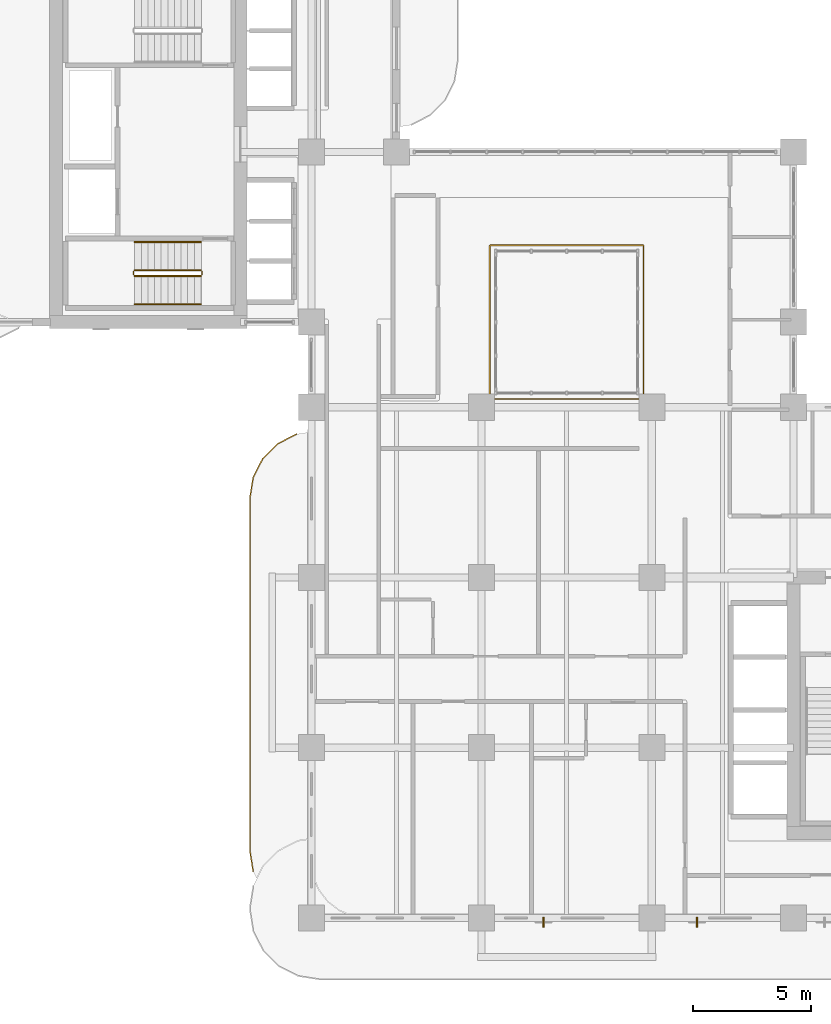
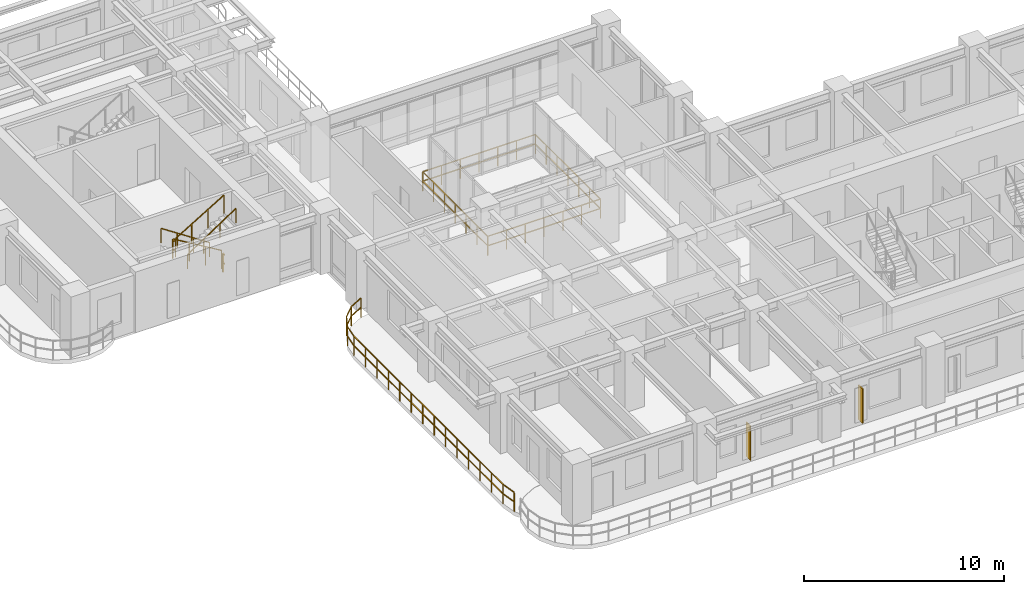
# One storey, part 18 of 22: 8 railings, 2 shading devices.
"""IFC4 building model written with IfcOpenShell, lengths in metres."""

import ifcopenshell
import ifcopenshell.guid

model = None  # the IFC model being written
_history = None  # IfcOwnerHistory: only IFC2X3 demands one
_inside = {}  # id of a spatial element -> (the spatial element, [elements in it])
_under = {}  # id of a project, library or spatial element -> (it, [spatial elements below it])
_declared = {}  # id of a project -> (the project, [libraries it declares])
_typed = {}  # id of a type object -> (the type object, [elements of that type])
_made_of = {}  # id of a material, layer set ... -> (it, [elements and type objects made of it])


def new_model(schema):
    """Start an empty IFC model of exactly this schema.

    Asked for "IFC4X3", IfcOpenShell would pick the latest addendum, in which some entities
    have other attributes; the version numbers below select the first issue.
    IFC2X3 requires an IfcOwnerHistory on every rooted entity: one is made here for all.
    """
    global model, _history
    if schema == "IFC4X3":
        model = ifcopenshell.file(schema_version=(4, 3, 0, 0))
    else:
        model = ifcopenshell.file(schema=schema)
    _inside.clear()
    _under.clear()
    _declared.clear()
    _typed.clear()
    _made_of.clear()
    _history = None
    if model.schema == "IFC2X3":
        org = make("IfcOrganization", Name="unknown")
        user = make(
            "IfcPersonAndOrganization",
            ThePerson=make("IfcPerson", FamilyName="unknown"),
            TheOrganization=org,
        )
        app = make(
            "IfcApplication",
            ApplicationDeveloper=org,
            Version="unknown",
            ApplicationFullName="unknown",
            ApplicationIdentifier="unknown",
        )
        _history = make(
            "IfcOwnerHistory",
            OwningUser=user,
            OwningApplication=app,
            ChangeAction="ADDED",
            CreationDate=0,
        )
    return model


def make(cls, **values):
    """One entity of the class cls with the attributes given. An attribute that is None is left unset."""
    return model.create_entity(
        cls, **{name: value for name, value in values.items() if value is not None}
    )


def rooted(cls, **values):
    """An entity with a GlobalId (a new one), such as an element, a storey or a relation."""
    return make(cls, GlobalId=ifcopenshell.guid.new(), OwnerHistory=_history, **values)


def si_unit(unit_type, name, prefix=None):
    """IfcSIUnit, for example si_unit("LENGTHUNIT", "METRE", prefix="MILLI")."""
    return make("IfcSIUnit", UnitType=unit_type, Prefix=prefix, Name=name)


def derived_unit(unit_type, elements):
    """IfcDerivedUnit: a product of units, each with its exponent."""
    return make(
        "IfcDerivedUnit",
        Elements=[
            make("IfcDerivedUnitElement", Unit=unit, Exponent=power)
            for unit, power in elements
        ],
        UnitType=unit_type,
    )


def assignment(units):
    """IfcUnitAssignment: the units of a project."""
    return None if units is None else make("IfcUnitAssignment", Units=units)


def point(xyz):
    """IfcCartesianPoint."""
    return None if xyz is None else make("IfcCartesianPoint", Coordinates=xyz)


def direction(xyz):
    """IfcDirection."""
    return None if xyz is None else make("IfcDirection", DirectionRatios=xyz)


def frame(location, z_axis=None, x_axis=None):
    """IfcAxis2Placement3D, a coordinate frame: its origin and axes. An axis left out is left unset."""
    return make(
        "IfcAxis2Placement3D",
        Location=point(location),
        Axis=direction(z_axis),
        RefDirection=direction(x_axis),
    )


def frame_2d(location, x_axis=None):
    """IfcAxis2Placement2D, a coordinate frame in the plane: its origin and x axis."""
    return make(
        "IfcAxis2Placement2D", Location=point(location), RefDirection=direction(x_axis)
    )


def origin():
    """The frame at (0, 0, 0) with its axes left unset."""
    return frame((0.0, 0.0, 0.0))


def origin_2d():
    """The frame at (0, 0) in the plane with its x axis left unset."""
    return frame_2d((0.0, 0.0))


def place(relative_to, where):
    """IfcLocalPlacement: puts the frame where relative to a parent placement (None: the world)."""
    return make(
        "IfcLocalPlacement", PlacementRelTo=relative_to, RelativePlacement=where
    )


def context(
    kind, dimensions, precision=None, world=None, true_north=None, identifier=None
):
    """IfcGeometricRepresentationContext, for example the 3D "Model" context."""
    return make(
        "IfcGeometricRepresentationContext",
        ContextIdentifier=identifier,
        ContextType=kind,
        CoordinateSpaceDimension=dimensions,
        Precision=precision,
        WorldCoordinateSystem=world,
        TrueNorth=true_north,
    )


def subcontext(parent, identifier, kind, view, scale=None):
    """IfcGeometricRepresentationSubContext, for example "Body" below "Model"."""
    return make(
        "IfcGeometricRepresentationSubContext",
        ContextIdentifier=identifier,
        ContextType=kind,
        ParentContext=parent,
        TargetScale=scale,
        TargetView=view,
    )


def project(units=None, contexts=None):
    """IfcProject with its units and contexts."""
    return rooted(
        "IfcProject",
        Name="project",
        RepresentationContexts=contexts,
        UnitsInContext=assignment(units),
    )


def spatial(cls, under=None, at=None, **own):
    """A site, building, storey or space (cls), placed at a placement, below another one or the project."""
    s = rooted(cls, ObjectPlacement=at, **own)
    if under is not None:
        _under.setdefault(under.id(), (under, []))[1].append(s)
    return s


def profile(cls, at=None, kind="AREA", **sizes):
    """A parametric profile (cls). Its sizes go by their IFC names, for example OverallWidth=200.0."""
    return make(cls, ProfileType=kind, Position=at, **sizes)


def rectangle(**sizes):
    """IfcRectangleProfileDef."""
    return profile("IfcRectangleProfileDef", **sizes)


def extrude(swept, where, along, depth):
    """IfcExtrudedAreaSolid: the profile swept, set in the frame where, extruded along a direction by depth."""
    return make(
        "IfcExtrudedAreaSolid",
        SweptArea=swept,
        Position=where,
        ExtrudedDirection=direction(along),
        Depth=depth,
    )


def shape(context_of_items, identifier, shape_type, items):
    """IfcShapeRepresentation: the items that make up one representation, for example the "Body"."""
    return make(
        "IfcShapeRepresentation",
        ContextOfItems=context_of_items,
        RepresentationIdentifier=identifier,
        RepresentationType=shape_type,
        Items=items,
    )


def source(mapping_origin, context_of_items, identifier, shape_type, items):
    """IfcRepresentationMap: a shape defined once, which mapped items show again and again."""
    return make(
        "IfcRepresentationMap",
        MappingOrigin=mapping_origin,
        MappedRepresentation=shape(context_of_items, identifier, shape_type, items),
    )


def transform(
    local_origin,
    x_axis=None,
    y_axis=None,
    z_axis=None,
    scale=None,
    scale2=None,
    scale3=None,
    uniform=True,
):
    """IfcCartesianTransformationOperator3D, or its non-uniform kind. x_axis, y_axis, z_axis: its Axis1, 2, 3."""
    if uniform:
        return make(
            "IfcCartesianTransformationOperator3D",
            Axis1=direction(x_axis),
            Axis2=direction(y_axis),
            LocalOrigin=point(local_origin),
            Scale=scale,
            Axis3=direction(z_axis),
        )
    return make(
        "IfcCartesianTransformationOperator3DnonUniform",
        Axis1=direction(x_axis),
        Axis2=direction(y_axis),
        LocalOrigin=point(local_origin),
        Scale=scale,
        Axis3=direction(z_axis),
        Scale2=scale2,
        Scale3=scale3,
    )


def mapped(mapping_source, mapping_target):
    """IfcMappedItem: shows the shape of a source again, moved by a transform."""
    return make(
        "IfcMappedItem", MappingSource=mapping_source, MappingTarget=mapping_target
    )


def material(Name=None, Category=None):
    """IfcMaterial."""
    return make("IfcMaterial", Name=Name, Category=Category)


def layer(
    of_material, thickness, ventilated=None, Name=None, Category=None, Priority=None
):
    """IfcMaterialLayer: one layer of a wall or slab, of a material (None: an air gap)."""
    return make(
        "IfcMaterialLayer",
        Material=of_material,
        LayerThickness=thickness,
        IsVentilated=ventilated,
        Name=Name,
        Category=Category,
        Priority=Priority,
    )


def layer_set(layers, Name=None):
    """IfcMaterialLayerSet."""
    return make("IfcMaterialLayerSet", MaterialLayers=layers, LayerSetName=Name)


def made_of(thing, what):
    """Note that an element or type object is made of a material, layer set ...; save() writes the relation."""
    if what is not None:
        _made_of.setdefault(what.id(), (what, []))[1].append(thing)
    return thing


def type_object(cls, material=None, **own):
    """A type object (cls), such as IfcWallType, which elements share."""
    return made_of(rooted(cls, **own), material)


def type_shapes(of_type, sources):
    """Give a type object the sources (RepresentationMaps) that its elements show as mapped items."""
    of_type.RepresentationMaps = sources


def element(
    cls,
    number,
    at=None,
    inside=None,
    cuts=None,
    type_object=None,
    material=None,
    context=None,
    identifier="Body",
    shape_type=None,
    held_by="IfcProductDefinitionShape",
    body=None,
    shapes=None,
    **own,
):
    """One element of the class cls, such as IfcWall. Its Tag is "e" and its number.

    at: its placement. inside: the storey or other place that contains it. cuts: it is an
    opening in that element (IfcRelVoidsElement). A single representation is given by context,
    identifier, shape_type and body (its items); several are given by shapes. held_by: the class
    of the entity that holds the representations. save() writes the other relations.
    """
    e = rooted(cls, Tag="e%d" % number, ObjectPlacement=at, **own)
    if body is not None:
        shapes = [shape(context, identifier, shape_type, body)]
    if shapes is not None:
        e.Representation = make(held_by, Representations=shapes)
    if inside is not None:
        _inside.setdefault(inside.id(), (inside, []))[1].append(e)
    if cuts is not None:
        rooted(
            "IfcRelVoidsElement", RelatingBuildingElement=cuts, RelatedOpeningElement=e
        )
    if type_object is not None:
        _typed.setdefault(type_object.id(), (type_object, []))[1].append(e)
    return made_of(e, material)


def aggregate(whole, parts):
    """IfcRelAggregates: a whole, such as a stair, and the parts it consists of."""
    return rooted("IfcRelAggregates", RelatingObject=whole, RelatedObjects=parts)


def save(model, path):
    """Write the relations noted so far, then the file.

    IfcRelAggregates (storeys below a building ...), IfcRelContainedInSpatialStructure (elements
    in a storey), IfcRelDefinesByType, IfcRelAssociatesMaterial and IfcRelDeclares: one each for
    every whole, place, type object, material and project.
    """
    for whole, parts in _under.values():
        aggregate(whole, parts)
    for where, things in _inside.values():
        rooted(
            "IfcRelContainedInSpatialStructure",
            RelatedElements=things,
            RelatingStructure=where,
        )
    for kind, things in _typed.values():
        rooted("IfcRelDefinesByType", RelatedObjects=things, RelatingType=kind)
    for what, things in _made_of.values():
        rooted("IfcRelAssociatesMaterial", RelatedObjects=things, RelatingMaterial=what)
    for by, libraries in _declared.values():
        rooted("IfcRelDeclares", RelatingContext=by, RelatedDefinitions=libraries)
    model.write(path)


model = new_model("IFC4")

# Units and contexts
model_context = context("Model", 3, precision=1e-05, world=origin(), true_north=direction((0.0, 1.0)))
body_context = subcontext(model_context, "Body", "Model", "MODEL_VIEW")
ifc_project = project(units=[si_unit("LENGTHUNIT", "METRE"), si_unit("AREAUNIT", "SQUARE_METRE"), si_unit("VOLUMEUNIT", "CUBIC_METRE"), si_unit("PLANEANGLEUNIT", "RADIAN"), si_unit("MASSUNIT", "GRAM", prefix="KILO"), si_unit("THERMODYNAMICTEMPERATUREUNIT", "KELVIN"), si_unit("POWERUNIT", "WATT"), derived_unit("THERMALTRANSMITTANCEUNIT", [(si_unit("POWERUNIT", "WATT"), 1), (si_unit("AREAUNIT", "SQUARE_METRE"), -1), (si_unit("THERMODYNAMICTEMPERATUREUNIT", "KELVIN"), -1)])], contexts=[model_context])

# Site, building, storey
site_placement = place(None, origin())
site = spatial("IfcSite", under=ifc_project, at=site_placement, CompositionType="ELEMENT")
building_placement = place(site_placement, origin())
building = spatial("IfcBuilding", under=site, at=building_placement, Name="Zahravan Archway Hotel and Residences", CompositionType="ELEMENT")
storey_placement = place(building_placement, frame((0.0, 0.0, 99.0)))
storey = spatial("IfcBuildingStorey", under=building, at=storey_placement, Name="L24", CompositionType="ELEMENT", Elevation=99.0)

# Railings
ifc_material_1 = material(Name="Atrium Laminated Glass Guardrail", Category="glass")
railing_type_1 = type_object("IfcRailingType", Name="RL-ATR-1200", PredefinedType="BALUSTRADE", material=ifc_material_1)
railing_1_placement = place(storey_placement, frame((21.949951171875, 21.949951171875, 0.0)))
element("IfcRailing", 1, at=railing_1_placement, inside=storey, type_object=railing_type_1, Name="L24 Balustrade RL-ATR-L24", PredefinedType="BALUSTRADE", context=body_context, shape_type="SweptSolid", body=[
    extrude(rectangle(XDim=0.048095703125, YDim=0.048095703125, at=origin_2d()), frame((0.0, 0.0, 1.17578125), z_axis=(1.0, 0.0, 0.0), x_axis=(0.0, 1.0, 0.0)), (0.0, 0.0, 1.0), 6.5),
    extrude(rectangle(XDim=0.048095703125, YDim=0.048095703125, at=origin_2d()), frame((0.0, 0.0, 0.60009765625), z_axis=(1.0, 0.0, 0.0), x_axis=(0.0, 1.0, 0.0)), (0.0, 0.0, 1.0), 6.5),
    extrude(rectangle(XDim=0.048095703125, YDim=0.048095703125, at=origin_2d()), frame((6.5, 0.0, 1.17578125), z_axis=(0.0, 1.0, 0.0), x_axis=(-1.0, 0.0, 0.0)), (0.0, 0.0, 1.0), 6.5),
    extrude(rectangle(XDim=0.048095703125, YDim=0.048095703125, at=origin_2d()), frame((6.5, 0.0, 0.60009765625), z_axis=(0.0, 1.0, 0.0), x_axis=(-1.0, 0.0, 0.0)), (0.0, 0.0, 1.0), 6.5),
    extrude(rectangle(XDim=0.048095703125, YDim=0.048095703125, at=origin_2d()), frame((6.5, 6.5, 1.17578125), z_axis=(-1.0, 0.0, 0.0), x_axis=(0.0, -1.0, 0.0)), (0.0, 0.0, 1.0), 6.5),
    extrude(rectangle(XDim=0.048095703125, YDim=0.048095703125, at=origin_2d()), frame((6.5, 6.5, 0.60009765625), z_axis=(-1.0, 0.0, 0.0), x_axis=(0.0, -1.0, 0.0)), (0.0, 0.0, 1.0), 6.5),
    extrude(rectangle(XDim=0.048095703125, YDim=0.048095703125, at=origin_2d()), frame((0.0, 6.5, 1.17578125), z_axis=(0.0, -1.0, 0.0), x_axis=(1.0, 0.0, 0.0)), (0.0, 0.0, 1.0), 6.5),
    extrude(rectangle(XDim=0.048095703125, YDim=0.048095703125, at=origin_2d()), frame((0.0, 6.5, 0.60009765625), z_axis=(0.0, -1.0, 0.0), x_axis=(1.0, 0.0, 0.0)), (0.0, 0.0, 1.0), 6.5),
    extrude(rectangle(XDim=0.0419921875, YDim=0.0419921875, at=origin_2d()), origin(), (0.0, 0.0, 1.0), 1.15185546875),
    extrude(rectangle(XDim=0.0419921875, YDim=0.0419921875, at=origin_2d()), frame((1.083251953125, 0.0, 0.0)), (0.0, 0.0, 1.0), 1.15185546875),
    extrude(rectangle(XDim=0.0419921875, YDim=0.0419921875, at=origin_2d()), frame((2.166748046875, 0.0, 0.0)), (0.0, 0.0, 1.0), 1.15185546875),
    extrude(rectangle(XDim=0.0419921875, YDim=0.0419921875, at=origin_2d()), frame((3.25, 0.0, 0.0)), (0.0, 0.0, 1.0), 1.15185546875),
    extrude(rectangle(XDim=0.0419921875, YDim=0.0419921875, at=origin_2d()), frame((4.333251953125, 0.0, 0.0)), (0.0, 0.0, 1.0), 1.15185546875),
    extrude(rectangle(XDim=0.0419921875, YDim=0.0419921875, at=origin_2d()), frame((5.416748046875, 0.0, 0.0)), (0.0, 0.0, 1.0), 1.15185546875),
    extrude(rectangle(XDim=0.0419921875, YDim=0.0419921875, at=origin_2d()), frame((6.5, 0.0, 0.0)), (0.0, 0.0, 1.0), 1.15185546875),
    extrude(rectangle(XDim=0.0419921875, YDim=0.0419921875, at=origin_2d()), frame((6.5, 1.083251953125, 0.0)), (0.0, 0.0, 1.0), 1.15185546875),
    extrude(rectangle(XDim=0.0419921875, YDim=0.0419921875, at=origin_2d()), frame((6.5, 2.166748046875, 0.0)), (0.0, 0.0, 1.0), 1.15185546875),
    extrude(rectangle(XDim=0.0419921875, YDim=0.0419921875, at=origin_2d()), frame((6.5, 3.25, 0.0)), (0.0, 0.0, 1.0), 1.15185546875),
    extrude(rectangle(XDim=0.0419921875, YDim=0.0419921875, at=origin_2d()), frame((6.5, 4.333251953125, 0.0)), (0.0, 0.0, 1.0), 1.15185546875),
    extrude(rectangle(XDim=0.0419921875, YDim=0.0419921875, at=origin_2d()), frame((6.5, 5.416748046875, 0.0)), (0.0, 0.0, 1.0), 1.15185546875),
    extrude(rectangle(XDim=0.0419921875, YDim=0.0419921875, at=origin_2d()), frame((6.5, 6.5, 0.0)), (0.0, 0.0, 1.0), 1.15185546875),
    extrude(rectangle(XDim=0.0419921875, YDim=0.0419921875, at=origin_2d()), frame((5.416748046875, 6.5, 0.0)), (0.0, 0.0, 1.0), 1.15185546875),
    extrude(rectangle(XDim=0.0419921875, YDim=0.0419921875, at=origin_2d()), frame((4.333251953125, 6.5, 0.0)), (0.0, 0.0, 1.0), 1.15185546875),
    extrude(rectangle(XDim=0.0419921875, YDim=0.0419921875, at=origin_2d()), frame((3.25, 6.5, 0.0)), (0.0, 0.0, 1.0), 1.15185546875),
    extrude(rectangle(XDim=0.0419921875, YDim=0.0419921875, at=origin_2d()), frame((2.166748046875, 6.5, 0.0)), (0.0, 0.0, 1.0), 1.15185546875),
    extrude(rectangle(XDim=0.0419921875, YDim=0.0419921875, at=origin_2d()), frame((1.083251953125, 6.5, 0.0)), (0.0, 0.0, 1.0), 1.15185546875),
    extrude(rectangle(XDim=0.0419921875, YDim=0.0419921875, at=origin_2d()), frame((0.0, 6.5, 0.0)), (0.0, 0.0, 1.0), 1.15185546875),
    extrude(rectangle(XDim=0.0419921875, YDim=0.0419921875, at=origin_2d()), frame((0.0, 5.416748046875, 0.0)), (0.0, 0.0, 1.0), 1.15185546875),
    extrude(rectangle(XDim=0.0419921875, YDim=0.0419921875, at=origin_2d()), frame((0.0, 4.333251953125, 0.0)), (0.0, 0.0, 1.0), 1.15185546875),
    extrude(rectangle(XDim=0.0419921875, YDim=0.0419921875, at=origin_2d()), frame((0.0, 3.25, 0.0)), (0.0, 0.0, 1.0), 1.15185546875),
    extrude(rectangle(XDim=0.0419921875, YDim=0.0419921875, at=origin_2d()), frame((0.0, 2.166748046875, 0.0)), (0.0, 0.0, 1.0), 1.15185546875),
    extrude(rectangle(XDim=0.0419921875, YDim=0.0419921875, at=origin_2d()), frame((0.0, 1.083251953125, 0.0)), (0.0, 0.0, 1.0), 1.15185546875),
])
ifc_material_2 = material(Name="Bronze & Laminated Glass Balustrade", Category="glass")
railing_type_2 = type_object("IfcRailingType", Name="RL-BAL-1200", PredefinedType="BALUSTRADE", material=ifc_material_2)
railing_2_placement = place(storey_placement, frame((11.939453125, 1.96923828125, 0.0)))
element("IfcRailing", 2, at=railing_2_placement, inside=storey, type_object=railing_type_2, Name="L24 Balustrade RL-SLB-BAL-L24-WA-1", PredefinedType="BALUSTRADE", context=body_context, shape_type="SweptSolid", body=[
    extrude(rectangle(XDim=0.048095703125, YDim=0.048095703125, at=origin_2d()), frame((0.0, 0.0, 1.17578125), z_axis=(-0.156314005608, 0.987707411965, 0.0), x_axis=(-0.987707411965, -0.156314005608, 0.0)), (0.0, 0.0, 1.0), 0.891845703125),
    extrude(rectangle(XDim=0.048095703125, YDim=0.048095703125, at=origin_2d()), frame((0.0, 0.0, 0.60009765625), z_axis=(-0.156314005608, 0.987707411965, 0.0), x_axis=(-0.987707411965, -0.156314005608, 0.0)), (0.0, 0.0, 1.0), 0.891845703125),
    extrude(rectangle(XDim=0.048095703125, YDim=0.048095703125, at=origin_2d()), frame((-0.139404296875, 0.880859375, 1.17578125), z_axis=(0.0, 1.0, 0.0), x_axis=(-1.0, 0.0, 0.0)), (0.0, 0.0, 1.0), 14.89990234375),
    extrude(rectangle(XDim=0.048095703125, YDim=0.048095703125, at=origin_2d()), frame((-0.139404296875, 0.880859375, 0.60009765625), z_axis=(0.0, 1.0, 0.0), x_axis=(-1.0, 0.0, 0.0)), (0.0, 0.0, 1.0), 14.89990234375),
    extrude(rectangle(XDim=0.048095703125, YDim=0.048095703125, at=origin_2d()), frame((-0.139404296875, 15.78076171875, 1.17578125), z_axis=(0.156356282588, 0.987700720307, 0.0), x_axis=(-0.987700720307, 0.156356282588, 0.0)), (0.0, 0.0, 1.0), 0.8916015625),
    extrude(rectangle(XDim=0.048095703125, YDim=0.048095703125, at=origin_2d()), frame((-0.139404296875, 15.78076171875, 0.60009765625), z_axis=(0.156356282588, 0.987700720307, 0.0), x_axis=(-0.987700720307, 0.156356282588, 0.0)), (0.0, 0.0, 1.0), 0.8916015625),
    extrude(rectangle(XDim=0.048095703125, YDim=0.048095703125, at=origin_2d()), frame((0.0, 16.661376953125, 1.17578125), z_axis=(0.45388067135, 0.891062476022, 0.0), x_axis=(-0.891062476022, 0.45388067135, 0.0)), (0.0, 0.0, 1.0), 0.891845703125),
    extrude(rectangle(XDim=0.048095703125, YDim=0.048095703125, at=origin_2d()), frame((0.0, 16.661376953125, 0.60009765625), z_axis=(0.45388067135, 0.891062476022, 0.0), x_axis=(-0.891062476022, 0.45388067135, 0.0)), (0.0, 0.0, 1.0), 0.891845703125),
    extrude(rectangle(XDim=0.048095703125, YDim=0.048095703125, at=origin_2d()), frame((0.40478515625, 17.4560546875, 1.17578125), z_axis=(0.70724367147, 0.706969864397, 0.0), x_axis=(-0.706969864397, 0.70724367147, 0.0)), (0.0, 0.0, 1.0), 0.8916015625),
    extrude(rectangle(XDim=0.048095703125, YDim=0.048095703125, at=origin_2d()), frame((0.40478515625, 17.4560546875, 0.60009765625), z_axis=(0.70724367147, 0.706969864397, 0.0), x_axis=(-0.706969864397, 0.70724367147, 0.0)), (0.0, 0.0, 1.0), 0.8916015625),
    extrude(rectangle(XDim=0.048095703125, YDim=0.048095703125, at=origin_2d()), frame((1.035400390625, 18.08642578125, 1.17578125), z_axis=(0.891006060389, 0.453991409995, 0.0), x_axis=(-0.453991409995, 0.891006060389, 0.0)), (0.0, 0.0, 1.0), 0.8916015625),
    extrude(rectangle(XDim=0.048095703125, YDim=0.048095703125, at=origin_2d()), frame((1.035400390625, 18.08642578125, 0.60009765625), z_axis=(0.891006060389, 0.453991409995, 0.0), x_axis=(-0.453991409995, 0.891006060389, 0.0)), (0.0, 0.0, 1.0), 0.8916015625),
    extrude(rectangle(XDim=0.0419921875, YDim=0.0419921875, at=origin_2d()), origin(), (0.0, 0.0, 1.0), 1.15185546875),
    extrude(rectangle(XDim=0.0419921875, YDim=0.0419921875, at=origin_2d()), frame((-0.139404296875, 0.880859375, 0.0)), (0.0, 0.0, 1.0), 1.15185546875),
    extrude(rectangle(XDim=0.0419921875, YDim=0.0419921875, at=origin_2d()), frame((-0.139404296875, 2.027099609375, 0.0)), (0.0, 0.0, 1.0), 1.15185546875),
    extrude(rectangle(XDim=0.0419921875, YDim=0.0419921875, at=origin_2d()), frame((-0.139404296875, 3.173095703125, 0.0)), (0.0, 0.0, 1.0), 1.15185546875),
    extrude(rectangle(XDim=0.0419921875, YDim=0.0419921875, at=origin_2d()), frame((-0.139404296875, 4.3193359375, 0.0)), (0.0, 0.0, 1.0), 1.15185546875),
    extrude(rectangle(XDim=0.0419921875, YDim=0.0419921875, at=origin_2d()), frame((-0.139404296875, 5.46533203125, 0.0)), (0.0, 0.0, 1.0), 1.15185546875),
    extrude(rectangle(XDim=0.0419921875, YDim=0.0419921875, at=origin_2d()), frame((-0.139404296875, 6.611572265625, 0.0)), (0.0, 0.0, 1.0), 1.15185546875),
    extrude(rectangle(XDim=0.0419921875, YDim=0.0419921875, at=origin_2d()), frame((-0.139404296875, 7.7578125, 0.0)), (0.0, 0.0, 1.0), 1.15185546875),
    extrude(rectangle(XDim=0.0419921875, YDim=0.0419921875, at=origin_2d()), frame((-0.139404296875, 8.90380859375, 0.0)), (0.0, 0.0, 1.0), 1.15185546875),
    extrude(rectangle(XDim=0.0419921875, YDim=0.0419921875, at=origin_2d()), frame((-0.139404296875, 10.050048828125, 0.0)), (0.0, 0.0, 1.0), 1.15185546875),
    extrude(rectangle(XDim=0.0419921875, YDim=0.0419921875, at=origin_2d()), frame((-0.139404296875, 11.1962890625, 0.0)), (0.0, 0.0, 1.0), 1.15185546875),
    extrude(rectangle(XDim=0.0419921875, YDim=0.0419921875, at=origin_2d()), frame((-0.139404296875, 12.34228515625, 0.0)), (0.0, 0.0, 1.0), 1.15185546875),
    extrude(rectangle(XDim=0.0419921875, YDim=0.0419921875, at=origin_2d()), frame((-0.139404296875, 13.488525390625, 0.0)), (0.0, 0.0, 1.0), 1.15185546875),
    extrude(rectangle(XDim=0.0419921875, YDim=0.0419921875, at=origin_2d()), frame((-0.139404296875, 14.634521484375, 0.0)), (0.0, 0.0, 1.0), 1.15185546875),
    extrude(rectangle(XDim=0.0419921875, YDim=0.0419921875, at=origin_2d()), frame((-0.139404296875, 15.78076171875, 0.0)), (0.0, 0.0, 1.0), 1.15185546875),
    extrude(rectangle(XDim=0.0419921875, YDim=0.0419921875, at=origin_2d()), frame((0.0, 16.661376953125, 0.0)), (0.0, 0.0, 1.0), 1.15185546875),
    extrude(rectangle(XDim=0.0419921875, YDim=0.0419921875, at=origin_2d()), frame((0.40478515625, 17.4560546875, 0.0)), (0.0, 0.0, 1.0), 1.15185546875),
    extrude(rectangle(XDim=0.0419921875, YDim=0.0419921875, at=origin_2d()), frame((1.035400390625, 18.08642578125, 0.0)), (0.0, 0.0, 1.0), 1.15185546875),
    extrude(rectangle(XDim=0.0419921875, YDim=0.0419921875, at=origin_2d()), frame((1.829833984375, 18.4912109375, 0.0)), (0.0, 0.0, 1.0), 1.15185546875),
])
ifc_material_3 = material(Name="Painted Tubular Steel", Category="steel")
railing_type_3 = type_object("IfcRailingType", Name="RL-STG-1150", PredefinedType="GUARDRAIL", material=ifc_material_3)
railing_3_placement = place(storey_placement, frame((9.72998046875, 27.389892578125, 0.168212890625)))
element("IfcRailing", 3, at=railing_3_placement, inside=storey, type_object=railing_type_3, Name="L24 ST-B1 stair guard 1", PredefinedType="GUARDRAIL", context=body_context, shape_type="SweptSolid", body=[
    extrude(rectangle(XDim=0.048095703125, YDim=0.048095703125, at=origin_2d()), frame((0.0, 0.0, 1.1259765625), z_axis=(-0.857242210791, 0.0, 0.514913383045), x_axis=(0.0, -1.0, 0.0)), (0.0, 0.0, 1.0), 3.266357421875),
    extrude(rectangle(XDim=0.0419921875, YDim=0.0419921875, at=origin_2d()), origin(), (0.0, 0.0, 1.0), 1.101806640625),
    extrude(rectangle(XDim=0.0419921875, YDim=0.0419921875, at=origin_2d()), frame((-0.933349609375, 0.0, 0.560546875)), (0.0, 0.0, 1.0), 1.101806640625),
    extrude(rectangle(XDim=0.0419921875, YDim=0.0419921875, at=origin_2d()), frame((-1.86669921875, 0.0, 1.121337890625)), (0.0, 0.0, 1.0), 1.101806640625),
    extrude(rectangle(XDim=0.0419921875, YDim=0.0419921875, at=origin_2d()), frame((-2.800048828125, 0.0, 1.681884765625)), (0.0, 0.0, 1.0), 1.101806640625),
])
railing_4_placement = place(storey_placement, frame((6.8798828125, 27.340087890625, 1.85009765625)))
element("IfcRailing", 4, at=railing_4_placement, inside=storey, type_object=railing_type_3, Name="L24 ST-B1 stair guard 2", PredefinedType="GUARDRAIL", context=body_context, shape_type="SweptSolid", body=[
    extrude(rectangle(XDim=0.048095703125, YDim=0.048095703125, at=origin_2d()), frame((0.0, 0.0, 1.1259765625), z_axis=(0.0, -1.0, 0.0), x_axis=(1.0, 0.0, 0.0)), (0.0, 0.0, 1.0), 0.14013671875),
    extrude(rectangle(XDim=0.048095703125, YDim=0.048095703125, at=origin_2d()), frame((0.0, 0.0, 0.574951171875), z_axis=(0.0, -1.0, 0.0), x_axis=(1.0, 0.0, 0.0)), (0.0, 0.0, 1.0), 0.14013671875),
    extrude(rectangle(XDim=0.0419921875, YDim=0.0419921875, at=origin_2d()), origin(), (0.0, 0.0, 1.0), 1.101806640625),
])
railing_5_placement = place(storey_placement, frame((6.929931640625, 27.14990234375, 2.01806640625)))
element("IfcRailing", 5, at=railing_5_placement, inside=storey, type_object=railing_type_3, Name="L24 ST-B1 stair guard 3", PredefinedType="GUARDRAIL", context=body_context, shape_type="SweptSolid", body=[
    extrude(rectangle(XDim=0.048095703125, YDim=0.048095703125, at=origin_2d()), frame((0.0, 0.0, 1.1259765625), z_axis=(0.857242210791, 0.0, 0.514913383045), x_axis=(0.0, 1.0, 0.0)), (0.0, 0.0, 1.0), 3.266357421875),
    extrude(rectangle(XDim=0.0419921875, YDim=0.0419921875, at=origin_2d()), origin(), (0.0, 0.0, 1.0), 1.101806640625),
    extrude(rectangle(XDim=0.0419921875, YDim=0.0419921875, at=origin_2d()), frame((0.933349609375, 0.0, 0.560546875)), (0.0, 0.0, 1.0), 1.101806640625),
    extrude(rectangle(XDim=0.0419921875, YDim=0.0419921875, at=origin_2d()), frame((1.86669921875, 0.0, 1.121337890625)), (0.0, 0.0, 1.0), 1.101806640625),
    extrude(rectangle(XDim=0.0419921875, YDim=0.0419921875, at=origin_2d()), frame((2.800048828125, 0.0, 1.681884765625)), (0.0, 0.0, 1.0), 1.101806640625),
])
railing_6_placement = place(storey_placement, frame((9.780029296875, 27.340087890625, 0.0)))
element("IfcRailing", 6, at=railing_6_placement, inside=storey, type_object=railing_type_3, Name="L24 ST-B1 stair guard 4", PredefinedType="GUARDRAIL", context=body_context, shape_type="SweptSolid", body=[
    extrude(rectangle(XDim=0.048095703125, YDim=0.048095703125, at=origin_2d()), frame((0.0, 0.0, 1.1259765625), z_axis=(0.0, -1.0, 0.0), x_axis=(1.0, 0.0, 0.0)), (0.0, 0.0, 1.0), 0.14013671875),
    extrude(rectangle(XDim=0.048095703125, YDim=0.048095703125, at=origin_2d()), frame((0.0, 0.0, 0.574951171875), z_axis=(0.0, -1.0, 0.0), x_axis=(1.0, 0.0, 0.0)), (0.0, 0.0, 1.0), 0.14013671875),
    extrude(rectangle(XDim=0.0419921875, YDim=0.0419921875, at=origin_2d()), origin(), (0.0, 0.0, 1.0), 1.101806640625),
])
ifc_material_4 = material(Name="Brushed Stainless Steel", Category="steel")
railing_type_4 = type_object("IfcRailingType", Name="RL-STH-900", PredefinedType="HANDRAIL", material=ifc_material_4)
railing_7_placement = place(storey_placement, frame((9.72998046875, 28.590087890625, 0.168212890625)))
element("IfcRailing", 7, at=railing_7_placement, inside=storey, type_object=railing_type_4, Name="L24 ST-B1 stair handrail 1", PredefinedType="HANDRAIL", context=body_context, shape_type="SweptSolid", body=[
    extrude(rectangle(XDim=0.048095703125, YDim=0.048095703125, at=origin_2d()), frame((0.0, 0.0, 0.8759765625), z_axis=(-0.83435981716, 0.0, 0.551220187865), x_axis=(0.0, -1.0, 0.0)), (0.0, 0.0, 1.0), 3.35595703125),
    extrude(rectangle(XDim=0.0419921875, YDim=0.0419921875, at=origin_2d()), origin(), (0.0, 0.0, 1.0), 0.851806640625),
    extrude(rectangle(XDim=0.0419921875, YDim=0.0419921875, at=origin_2d()), frame((-0.933349609375, 0.0, 0.61669921875)), (0.0, 0.0, 1.0), 0.851806640625),
    extrude(rectangle(XDim=0.0419921875, YDim=0.0419921875, at=origin_2d()), frame((-1.86669921875, 0.0, 1.233154296875)), (0.0, 0.0, 1.0), 0.851806640625),
    extrude(rectangle(XDim=0.0419921875, YDim=0.0419921875, at=origin_2d()), frame((-2.800048828125, 0.0, 1.849853515625)), (0.0, 0.0, 1.0), 0.851806640625),
])
railing_8_placement = place(storey_placement, frame((6.929931640625, 25.949951171875, 2.01806640625)))
element("IfcRailing", 8, at=railing_8_placement, inside=storey, type_object=railing_type_4, Name="L24 ST-B1 stair handrail 2", PredefinedType="HANDRAIL", context=body_context, shape_type="SweptSolid", body=[
    extrude(rectangle(XDim=0.048095703125, YDim=0.048095703125, at=origin_2d()), frame((0.0, 0.0, 0.8759765625), z_axis=(0.834326358476, 0.0, 0.551270829586), x_axis=(0.0, 1.0, 0.0)), (0.0, 0.0, 1.0), 3.35595703125),
    extrude(rectangle(XDim=0.0419921875, YDim=0.0419921875, at=origin_2d()), origin(), (0.0, 0.0, 1.0), 0.851806640625),
    extrude(rectangle(XDim=0.0419921875, YDim=0.0419921875, at=origin_2d()), frame((0.933349609375, 0.0, 0.61669921875)), (0.0, 0.0, 1.0), 0.851806640625),
    extrude(rectangle(XDim=0.0419921875, YDim=0.0419921875, at=origin_2d()), frame((1.86669921875, 0.0, 1.2333984375)), (0.0, 0.0, 1.0), 0.851806640625),
    extrude(rectangle(XDim=0.0419921875, YDim=0.0419921875, at=origin_2d()), frame((2.800048828125, 0.0, 1.85009765625)), (0.0, 0.0, 1.0), 0.851806640625),
])

# Shading devices
ifc_material_5 = material(Name="Terracotta & Bronze Solar Brise-Soleil", Category="masonry")
ifc_layer = layer(ifc_material_5, 0.06005859375, Name="Terracotta & Bronze Solar Brise-Soleil", Category="masonry")
ifc_layer_set = layer_set([ifc_layer], Name="Terracotta & Bronze Solar Brise-Soleil")
shading_device_type = type_object("IfcShadingDeviceType", Name="SHD-MASH-FIN", PredefinedType="JALOUSIE", material=ifc_layer_set)
shared_shape = source(origin(), body_context, "Body", "SweptSolid", [
    extrude(rectangle(XDim=0.06005859375, YDim=0.419921875, at=origin_2d()), origin(), (0.0, 0.0, 1.0), 2.10009765625),
])
type_shapes(shading_device_type, [shared_shape])
for number, where, z_axis, x_axis, name in (
    (9, (24.22802734375, -0.177978515625, 0.25), (0.0, 0.0, 1.0), (1.0, 0.0, 0.0), "L24 Solar Mashrabiya Fin 01"),
    (10, (30.7080078125, -0.177978515625, 0.25), (0.0, 0.0, 1.0), (1.0, 0.0, 0.0), "L24 Solar Mashrabiya Fin 02"),
):
    element("IfcShadingDevice", number, at=place(storey_placement, frame(where, z_axis=z_axis, x_axis=x_axis)), inside=storey, type_object=shading_device_type, Name=name, PredefinedType="JALOUSIE", context=body_context, shape_type="MappedRepresentation", body=[
        mapped(shared_shape, transform((0.0, 0.0, 0.0), scale=1.0)),
    ])

save(model, "model.ifc")
